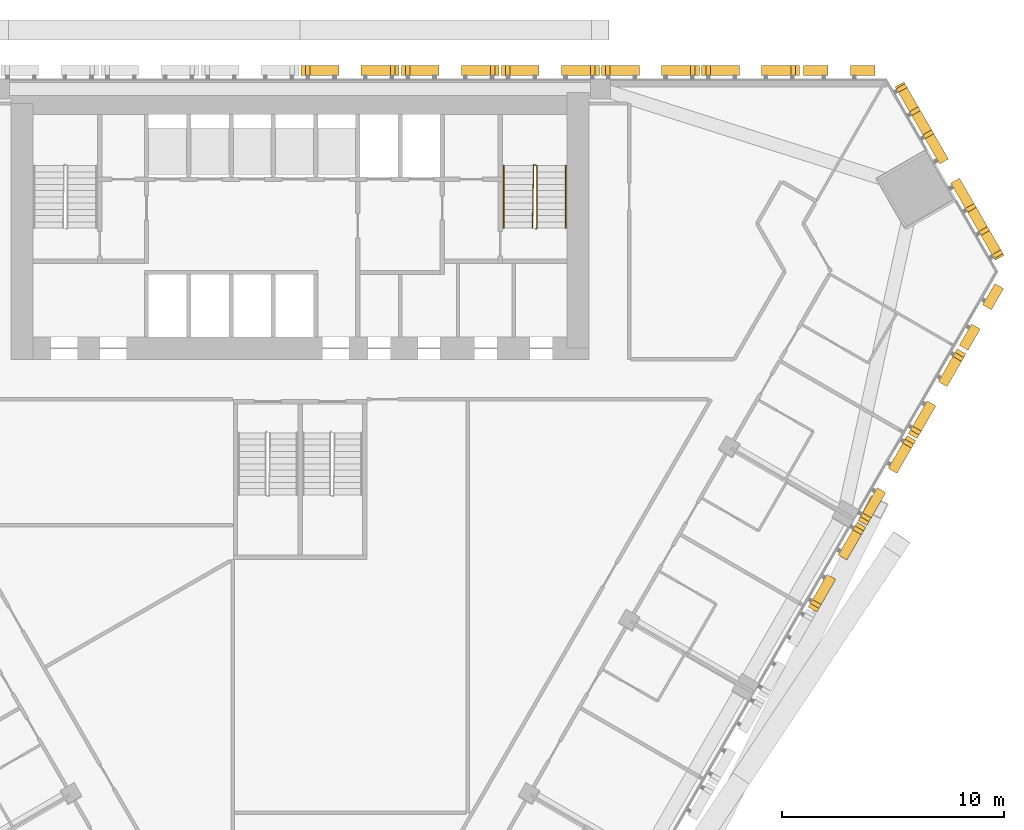
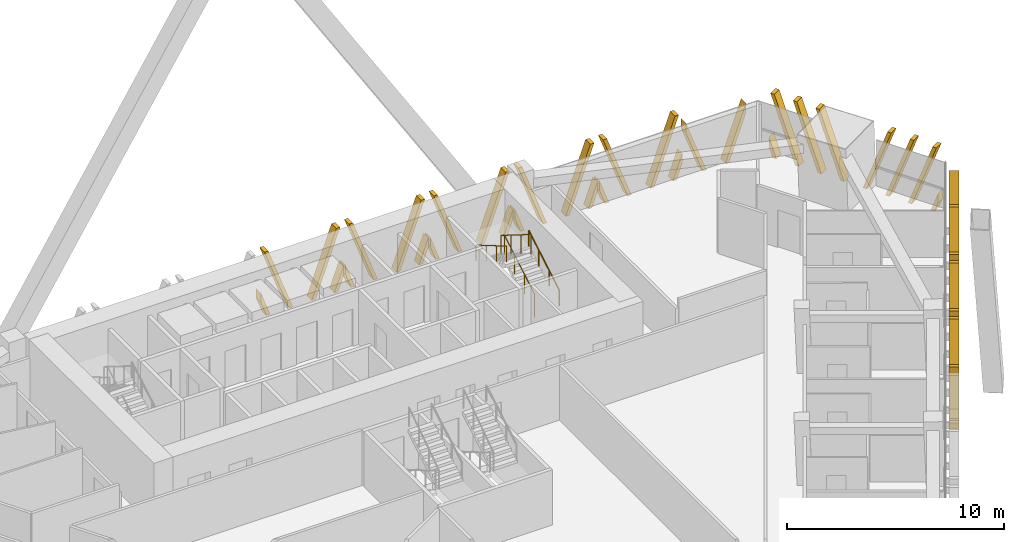
# One storey, part 23 of 24: 11 shading devices, 3 railings.
"""IFC4 building model written with IfcOpenShell, lengths in metres."""

from ifc_helpers import new_model, si_unit, direction, frame, origin, origin_2d, place, context, subcontext, project, spatial, polyline, circle, outline, extrude, source, transform, mapped, material, type_object, element, save


model = new_model("IFC4")

# Units and contexts
model_context = context("Model", 3, precision=1e-05, world=origin(), true_north=direction((0.0, 1.0)))
body_context = subcontext(model_context, "Body", "Model", "MODEL_VIEW")
ifc_project = project(units=[si_unit("LENGTHUNIT", "METRE"), si_unit("AREAUNIT", "SQUARE_METRE"), si_unit("VOLUMEUNIT", "CUBIC_METRE"), si_unit("PLANEANGLEUNIT", "RADIAN"), si_unit("MASSUNIT", "GRAM", prefix="KILO")], contexts=[model_context])

# Site, building, storey
site_placement = place(None, origin())
site = spatial("IfcSite", under=ifc_project, at=site_placement, CompositionType="ELEMENT")
building_placement = place(site_placement, origin())
building = spatial("IfcBuilding", under=site, at=building_placement, Name="Altiplano Prism Tower", CompositionType="ELEMENT")
storey_placement = place(building_placement, frame((0.0, 0.0, 27.0)))
storey = spatial("IfcBuildingStorey", under=building, at=storey_placement, Name="L05", CompositionType="ELEMENT", Elevation=27.0)

# Railings
ifc_material_1 = material(Name="Steel S355", Category="steel")
railing_type_1 = type_object("IfcRailingType", Name="Stair guard 1100", PredefinedType="GUARDRAIL", material=ifc_material_1)
railing_1_placement = place(storey_placement, frame((95.60009765625, 98.25, 0.0)))
element("IfcRailing", 1, at=railing_1_placement, inside=storey, type_object=railing_type_1, Name="L05 ST2 stair guard 1", PredefinedType="GUARDRAIL", context=body_context, shape_type="SweptSolid", body=[
    extrude(circle(Radius=0.02392578125, at=origin_2d()), frame((0.0, 0.0, 1.076171875), z_axis=(0.279546231943, 0.280916556609, 0.91811752648), x_axis=(-0.708833529934, 0.705375805398, 0.0)), (0.0, 0.0, 1.0), 0.17822265625),
    extrude(circle(Radius=0.02392578125, at=origin_2d()), frame((0.0498046875, 0.050048828125, 1.23974609375), z_axis=(0.0, 0.863360870873, 0.504586966384), x_axis=(-1.0, 0.0, 0.0)), (0.0, 0.0, 1.0), 3.2431640625),
    extrude(circle(Radius=0.02392578125, at=origin_2d()), frame((0.0498046875, 2.85009765625, 2.8759765625), z_axis=(-0.948991962702, 0.315300261223, 0.0), x_axis=(-0.315300261223, -0.948991962702, 0.0)), (0.0, 0.0, 1.0), 0.157958984375),
    extrude(circle(Radius=0.02392578125, at=origin_2d()), frame((-0.10009765625, 2.89990234375, 2.8759765625), z_axis=(-0.014846418356, -0.845376787675, 0.533964109957), x_axis=(0.999845825584, -0.017559187376, 0.0)), (0.0, 0.0, 1.0), 3.37109375),
    extrude(circle(Radius=0.02099609375, at=origin_2d()), origin(), (0.0, 0.0, 1.0), 1.052001953125),
    extrude(circle(Radius=0.02099609375, at=origin_2d()), frame((0.0498046875, 0.050048828125, 0.16357421875)), (0.0, 0.0, 1.0), 1.052001953125),
    extrude(circle(Radius=0.02099609375, at=origin_2d()), frame((0.0498046875, 0.9833984375, 0.708984375)), (0.0, 0.0, 1.0), 1.052001953125),
    extrude(circle(Radius=0.02099609375, at=origin_2d()), frame((0.0498046875, 1.916748046875, 1.254638671875)), (0.0, 0.0, 1.0), 1.052001953125),
    extrude(circle(Radius=0.02099609375, at=origin_2d()), frame((0.0498046875, 2.85009765625, 1.800048828125)), (0.0, 0.0, 1.0), 1.052001953125),
    extrude(circle(Radius=0.02099609375, at=origin_2d()), frame((-0.10009765625, 2.89990234375, 1.800048828125)), (0.0, 0.0, 1.0), 1.052001953125),
    extrude(circle(Radius=0.02099609375, at=origin_2d()), frame((-0.11669921875, 1.949951171875, 2.400146484375)), (0.0, 0.0, 1.0), 1.052001953125),
    extrude(circle(Radius=0.02099609375, at=origin_2d()), frame((-0.133544921875, 1.0, 3.0)), (0.0, 0.0, 1.0), 1.052001953125),
    extrude(circle(Radius=0.02099609375, at=origin_2d()), frame((-0.150146484375, 0.050048828125, 3.60009765625)), (0.0, 0.0, 1.0), 1.052001953125),
])
railing_type_2 = type_object("IfcRailingType", Name="Stair handrail 900", PredefinedType="HANDRAIL", material=ifc_material_1)
railing_2_placement = place(storey_placement, frame((96.949951171875, 98.300048828125, 0.16357421875)))
element("IfcRailing", 2, at=railing_2_placement, inside=storey, type_object=railing_type_2, Name="L05 ST2 stair handrail 1", PredefinedType="HANDRAIL", context=body_context, shape_type="SweptSolid", body=[
    extrude(circle(Radius=0.02392578125, at=origin_2d()), frame((0.0, 0.0, 0.8759765625), z_axis=(0.0, 0.863360870873, 0.504586966384), x_axis=(-1.0, 0.0, 0.0)), (0.0, 0.0, 1.0), 3.2431640625),
    extrude(circle(Radius=0.02099609375, at=origin_2d()), origin(), (0.0, 0.0, 1.0), 0.851806640625),
    extrude(circle(Radius=0.02099609375, at=origin_2d()), frame((0.0, 0.933349609375, 0.54541015625)), (0.0, 0.0, 1.0), 0.851806640625),
    extrude(circle(Radius=0.02099609375, at=origin_2d()), frame((0.0, 1.86669921875, 1.091064453125)), (0.0, 0.0, 1.0), 0.851806640625),
    extrude(circle(Radius=0.02099609375, at=origin_2d()), frame((0.0, 2.800048828125, 1.636474609375)), (0.0, 0.0, 1.0), 0.851806640625),
])
railing_3_placement = place(storey_placement, frame((94.14990234375, 101.10009765625, 1.963623046875)))
element("IfcRailing", 3, at=railing_3_placement, inside=storey, type_object=railing_type_2, Name="L05 ST2 stair handrail 2", PredefinedType="HANDRAIL", context=body_context, shape_type="SweptSolid", body=[
    extrude(circle(Radius=0.02392578125, at=origin_2d()), frame((0.0, 0.0, 0.8759765625), z_axis=(0.0, -0.863360870873, 0.504586966384), x_axis=(1.0, 0.0, 0.0)), (0.0, 0.0, 1.0), 3.2431640625),
    extrude(circle(Radius=0.02099609375, at=origin_2d()), origin(), (0.0, 0.0, 1.0), 0.851806640625),
    extrude(circle(Radius=0.02099609375, at=origin_2d()), frame((0.0, -0.933349609375, 0.54541015625)), (0.0, 0.0, 1.0), 0.851806640625),
    extrude(circle(Radius=0.02099609375, at=origin_2d()), frame((0.0, -1.86669921875, 1.091064453125)), (0.0, 0.0, 1.0), 0.851806640625),
    extrude(circle(Radius=0.02099609375, at=origin_2d()), frame((0.0, -2.800048828125, 1.636474609375)), (0.0, 0.0, 1.0), 0.851806640625),
])

# Shading devices
ifc_material_2 = material(Name="Warm limestone cast stone", Category="masonry")
shading_device_type_1 = type_object("IfcShadingDeviceType", Name="Stone fin panel, narrow closing bay", PredefinedType="USERDEFINED", material=ifc_material_2)
shared_shape_1 = source(origin(), body_context, "Body", "SweptSolid", [
    extrude(outline(polyline([(-1.60009765625, 3.022216796875), (-1.60009765625, 2.47265625), (-0.699951171875, 0.0), (-0.5, 0.0), (-1.60009765625, 3.022216796875)])), frame((0.0, -0.14990234375, 0.0), z_axis=(0.0, -1.0, 0.0), x_axis=(1.0, 0.0, 0.0)), (0.0, 0.0, 1.0), 0.4501953125),
    extrude(outline(polyline([(1.60009765625, 2.47265625), (1.60009765625, 3.022216796875), (0.5, 0.0), (0.699951171875, 0.0), (1.60009765625, 2.47265625)])), frame((0.0, -0.14990234375, 0.0), z_axis=(0.0, -1.0, 0.0), x_axis=(1.0, 0.0, 0.0)), (0.0, 0.0, 1.0), 0.4501953125),
])
shading_device_1_placement = place(storey_placement, origin())
element("IfcShadingDevice", 4, at=shading_device_1_placement, inside=storey, type_object=shading_device_type_1, Name="Fin L05 north face 1", ObjectType="FIN", PredefinedType="USERDEFINED", context=body_context, shape_type="MappedRepresentation", body=[
    mapped(shared_shape_1, transform((109.236572265625, 105.0, -0.5), x_axis=(-1.0, 0.0, 0.0), y_axis=(0.0, -1.0, 0.0), z_axis=(0.0, 0.0, 1.0))),
])
shading_device_2_placement = place(storey_placement, origin())
element("IfcShadingDevice", 5, at=shading_device_2_placement, inside=storey, type_object=shading_device_type_1, Name="Fin L05 south-east face 12", ObjectType="FIN", PredefinedType="USERDEFINED", context=body_context, shape_type="MappedRepresentation", body=[
    mapped(shared_shape_1, transform((115.3046875, 94.489501953125, -0.5), x_axis=(0.499999999907, 0.866025403838, 0.0), y_axis=(-0.866025403838, 0.499999999907, 0.0), z_axis=(0.0, 0.0, 1.0))),
])
shading_device_type_2 = type_object("IfcShadingDeviceType", Name="Stone fin panel, standard unit", PredefinedType="USERDEFINED", material=ifc_material_2)
shared_shape_2 = source(origin(), body_context, "Body", "SweptSolid", [
    extrude(outline(polyline([(-2.199951171875, 1.373779296875), (-2.199951171875, 0.82421875), (-1.89990234375, 0.0), (-1.699951171875, 0.0), (-2.199951171875, 1.373779296875)])), frame((0.0, -0.14990234375, 0.0), z_axis=(0.0, -1.0, 0.0), x_axis=(1.0, 0.0, 0.0)), (0.0, 0.0, 1.0), 0.4501953125),
    extrude(outline(polyline([(-2.01025390625, 3.60009765625), (-0.699951171875, 0.0), (-0.5, 0.0), (-1.810302734375, 3.60009765625), (-2.01025390625, 3.60009765625)])), frame((0.0, -0.14990234375, 0.0), z_axis=(0.0, -1.0, 0.0), x_axis=(1.0, 0.0, 0.0)), (0.0, 0.0, 1.0), 0.4501953125),
    extrude(outline(polyline([(1.810302734375, 3.60009765625), (0.5, 0.0), (0.699951171875, 0.0), (2.01025390625, 3.60009765625), (1.810302734375, 3.60009765625)])), frame((0.0, -0.14990234375, 0.0), z_axis=(0.0, -1.0, 0.0), x_axis=(1.0, 0.0, 0.0)), (0.0, 0.0, 1.0), 0.4501953125),
    extrude(outline(polyline([(2.199951171875, 0.82421875), (2.199951171875, 1.373779296875), (1.699951171875, 0.0), (1.89990234375, 0.0), (2.199951171875, 0.82421875)])), frame((0.0, -0.14990234375, 0.0), z_axis=(0.0, -1.0, 0.0), x_axis=(1.0, 0.0, 0.0)), (0.0, 0.0, 1.0), 0.4501953125),
])
shading_device_3_placement = place(storey_placement, origin())
element("IfcShadingDevice", 6, at=shading_device_3_placement, inside=storey, type_object=shading_device_type_2, Name="Fin L05 north face 2", ObjectType="FIN", PredefinedType="USERDEFINED", context=body_context, shape_type="MappedRepresentation", body=[
    mapped(shared_shape_2, transform((105.25, 105.0, -0.5), x_axis=(-1.0, 0.0, 0.0), y_axis=(0.0, -1.0, 0.0), z_axis=(0.0, 0.0, 1.0))),
])
shading_device_4_placement = place(storey_placement, origin())
element("IfcShadingDevice", 7, at=shading_device_4_placement, inside=storey, type_object=shading_device_type_2, Name="Fin L05 north face 3", ObjectType="FIN", PredefinedType="USERDEFINED", context=body_context, shape_type="MappedRepresentation", body=[
    mapped(shared_shape_2, transform((100.75, 105.0, -0.5), x_axis=(-1.0, 0.0, 0.0), y_axis=(0.0, -1.0, 0.0), z_axis=(0.0, 0.0, 1.0))),
])
shading_device_5_placement = place(storey_placement, origin())
element("IfcShadingDevice", 8, at=shading_device_5_placement, inside=storey, type_object=shading_device_type_2, Name="Fin L05 north face 4", ObjectType="FIN", PredefinedType="USERDEFINED", context=body_context, shape_type="MappedRepresentation", body=[
    mapped(shared_shape_2, transform((96.25, 105.0, -0.5), x_axis=(-1.0, 0.0, 0.0), y_axis=(0.0, -1.0, 0.0), z_axis=(0.0, 0.0, 1.0))),
])
shading_device_6_placement = place(storey_placement, origin())
element("IfcShadingDevice", 9, at=shading_device_6_placement, inside=storey, type_object=shading_device_type_2, Name="Fin L05 north face 5", ObjectType="FIN", PredefinedType="USERDEFINED", context=body_context, shape_type="MappedRepresentation", body=[
    mapped(shared_shape_2, transform((91.75, 105.0, -0.5), x_axis=(-1.0, 0.0, 0.0), y_axis=(0.0, -1.0, 0.0), z_axis=(0.0, 0.0, 1.0))),
])
shading_device_7_placement = place(storey_placement, origin())
element("IfcShadingDevice", 10, at=shading_device_7_placement, inside=storey, type_object=shading_device_type_2, Name="Fin L05 north face 6", ObjectType="FIN", PredefinedType="USERDEFINED", context=body_context, shape_type="MappedRepresentation", body=[
    mapped(shared_shape_2, transform((87.25, 105.0, -0.5), x_axis=(-1.0, 0.0, 0.0), y_axis=(0.0, -1.0, 0.0), z_axis=(0.0, 0.0, 1.0))),
])
shading_device_8_placement = place(storey_placement, origin())
element("IfcShadingDevice", 11, at=shading_device_8_placement, inside=storey, type_object=shading_device_type_2, Name="Fin L05 south-east face 9", ObjectType="FIN", PredefinedType="USERDEFINED", context=body_context, shape_type="MappedRepresentation", body=[
    mapped(shared_shape_2, transform((108.8115234375, 83.24267578125, -0.5), x_axis=(0.499999999907, 0.866025403838, 0.0), y_axis=(-0.866025403838, 0.499999999907, 0.0), z_axis=(0.0, 0.0, 1.0))),
])
shading_device_9_placement = place(storey_placement, origin())
element("IfcShadingDevice", 12, at=shading_device_9_placement, inside=storey, type_object=shading_device_type_2, Name="Fin L05 south-east face 10", ObjectType="FIN", PredefinedType="USERDEFINED", context=body_context, shape_type="MappedRepresentation", body=[
    mapped(shared_shape_2, transform((111.0615234375, 87.139892578125, -0.5), x_axis=(0.499999999907, 0.866025403838, 0.0), y_axis=(-0.866025403838, 0.499999999907, 0.0), z_axis=(0.0, 0.0, 1.0))),
])
shading_device_10_placement = place(storey_placement, origin())
element("IfcShadingDevice", 13, at=shading_device_10_placement, inside=storey, type_object=shading_device_type_2, Name="Fin L05 south-east face 11", ObjectType="FIN", PredefinedType="USERDEFINED", context=body_context, shape_type="MappedRepresentation", body=[
    mapped(shared_shape_2, transform((113.3115234375, 91.037109375, -0.5), x_axis=(0.499999999907, 0.866025403838, 0.0), y_axis=(-0.866025403838, 0.499999999907, 0.0), z_axis=(0.0, 0.0, 1.0))),
])
shading_device_type_3 = type_object("IfcShadingDeviceType", Name="Stone fin panel, chamfer unit", PredefinedType="USERDEFINED", material=ifc_material_2)
shared_shape_3 = source(origin(), body_context, "Body", "SweptSolid", [
    extrude(outline(polyline([(-4.5, 1.09912109375), (-4.5, 0.549560546875), (-4.300048828125, 0.0), (-4.10009765625, 0.0), (-4.5, 1.09912109375)])), frame((0.0, -0.14990234375, 0.0), z_axis=(0.0, -1.0, 0.0), x_axis=(1.0, 0.0, 0.0)), (0.0, 0.0, 1.0), 0.4501953125),
    extrude(outline(polyline([(-4.410400390625, 3.60009765625), (-3.10009765625, 0.0), (-2.89990234375, 0.0), (-4.210205078125, 3.60009765625), (-4.410400390625, 3.60009765625)])), frame((0.0, -0.14990234375, 0.0), z_axis=(0.0, -1.0, 0.0), x_axis=(1.0, 0.0, 0.0)), (0.0, 0.0, 1.0), 0.4501953125),
    extrude(outline(polyline([(-3.210205078125, 3.60009765625), (-1.89990234375, 0.0), (-1.699951171875, 0.0), (-3.01025390625, 3.60009765625), (-3.210205078125, 3.60009765625)])), frame((0.0, -0.14990234375, 0.0), z_axis=(0.0, -1.0, 0.0), x_axis=(1.0, 0.0, 0.0)), (0.0, 0.0, 1.0), 0.4501953125),
    extrude(outline(polyline([(-2.01025390625, 3.60009765625), (-0.699951171875, 0.0), (-0.5, 0.0), (-1.810302734375, 3.60009765625), (-2.01025390625, 3.60009765625)])), frame((0.0, -0.14990234375, 0.0), z_axis=(0.0, -1.0, 0.0), x_axis=(1.0, 0.0, 0.0)), (0.0, 0.0, 1.0), 0.4501953125),
    extrude(outline(polyline([(1.810302734375, 3.60009765625), (0.5, 0.0), (0.699951171875, 0.0), (2.01025390625, 3.60009765625), (1.810302734375, 3.60009765625)])), frame((0.0, -0.14990234375, 0.0), z_axis=(0.0, -1.0, 0.0), x_axis=(1.0, 0.0, 0.0)), (0.0, 0.0, 1.0), 0.4501953125),
    extrude(outline(polyline([(3.01025390625, 3.60009765625), (1.699951171875, 0.0), (1.89990234375, 0.0), (3.210205078125, 3.60009765625), (3.01025390625, 3.60009765625)])), frame((0.0, -0.14990234375, 0.0), z_axis=(0.0, -1.0, 0.0), x_axis=(1.0, 0.0, 0.0)), (0.0, 0.0, 1.0), 0.4501953125),
    extrude(outline(polyline([(4.210205078125, 3.60009765625), (2.89990234375, 0.0), (3.10009765625, 0.0), (4.410400390625, 3.60009765625), (4.210205078125, 3.60009765625)])), frame((0.0, -0.14990234375, 0.0), z_axis=(0.0, -1.0, 0.0), x_axis=(1.0, 0.0, 0.0)), (0.0, 0.0, 1.0), 0.4501953125),
    extrude(outline(polyline([(4.5, 0.549560546875), (4.5, 1.09912109375), (4.10009765625, 0.0), (4.300048828125, 0.0), (4.5, 0.549560546875)])), frame((0.0, -0.14990234375, 0.0), z_axis=(0.0, -1.0, 0.0), x_axis=(1.0, 0.0, 0.0)), (0.0, 0.0, 1.0), 0.4501953125),
])
shading_device_11_placement = place(storey_placement, origin())
element("IfcShadingDevice", 14, at=shading_device_11_placement, inside=storey, type_object=shading_device_type_3, Name="Fin L05 north-east chamfer 1", ObjectType="FIN", PredefinedType="USERDEFINED", context=body_context, shape_type="MappedRepresentation", body=[
    mapped(shared_shape_3, transform((113.873046875, 100.669921875, -0.5), x_axis=(-0.50000000184, 0.866025402722, 0.0), y_axis=(-0.866025402722, -0.50000000184, 0.0), z_axis=(0.0, 0.0, 1.0))),
])

save(model, "model.ifc")
